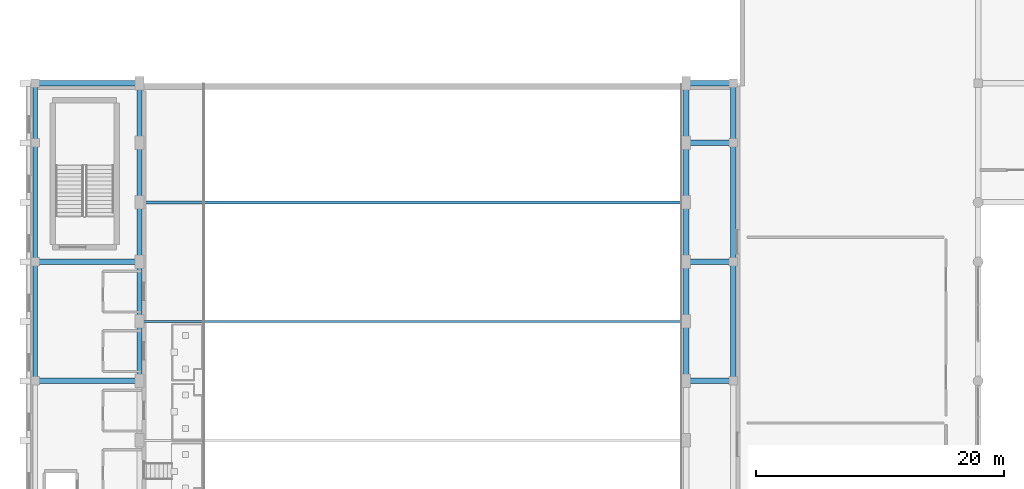
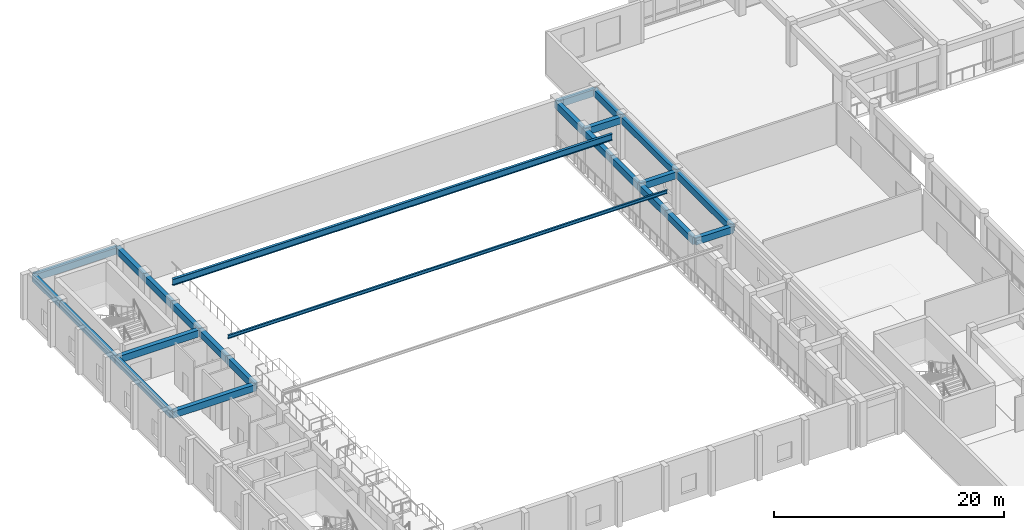
# One storey, part 33 of 133: 25 beams.
"""IFC4 building model written with IfcOpenShell, lengths in metres."""

from ifc_helpers import new_model, si_unit, direction, frame, origin, origin_2d, place, context, subcontext, project, spatial, rectangle, i_section, extrude, material, material_profile, profile_set, type_object, element, save


model = new_model("IFC4")

# Units and contexts
model_context = context("Model", 3, precision=1e-05, world=origin(), true_north=direction((0.0, 1.0)))
body_context = subcontext(model_context, "Body", "Model", "MODEL_VIEW")
ifc_project = project(units=[si_unit("LENGTHUNIT", "METRE"), si_unit("AREAUNIT", "SQUARE_METRE"), si_unit("VOLUMEUNIT", "CUBIC_METRE"), si_unit("PLANEANGLEUNIT", "RADIAN"), si_unit("MASSUNIT", "GRAM", prefix="KILO")], contexts=[model_context])

# Site, building, storey
site_placement = place(None, origin())
site = spatial("IfcSite", under=ifc_project, at=site_placement, CompositionType="ELEMENT")
building_placement = place(site_placement, origin())
building = spatial("IfcBuilding", under=site, at=building_placement, Name="Nakhvara Creek Congress Hotel", CompositionType="ELEMENT")
storey_placement = place(building_placement, frame((0.0, 0.0, 11.39990234375)))
storey = spatial("IfcBuildingStorey", under=building, at=storey_placement, Name="L02", CompositionType="ELEMENT", Elevation=11.39990234375)

# Beams
ifc_material_1 = material(Name="Concrete C40/50", Category="concrete")
ifc_material_profile_1 = material_profile(ifc_material_1, rectangle(XDim=0.43994140625, YDim=0.719970703125, at=origin_2d()), Name="RC-BM 440x720", Category="LoadBearing")
ifc_profile_set_1 = profile_set([ifc_material_profile_1], Name="Concrete C40/50")
beam_type_1 = type_object("IfcBeamType", Name="BM-RC-440X720", PredefinedType="BEAM", material=ifc_profile_set_1)
beam_1_placement = place(storey_placement, frame((0.75, 62.39990234375, 4.06005859375), z_axis=(1.0, 0.0, 0.0), x_axis=(0.0, 1.0, 0.0)))
element("IfcBeam", 1, at=beam_1_placement, inside=storey, type_object=beam_type_1, Name="Beam B12-L02-1404", PredefinedType="BEAM", context=body_context, shape_type="SweptSolid", body=[
    extrude(rectangle(XDim=0.43994140625, YDim=0.719970703125, at=origin_2d()), origin(), (0.0, 0.0, 1.0), 8.39990234375),
])
beam_2_placement = place(storey_placement, frame((57.050048828125, 62.39990234375, 4.06005859375), z_axis=(0.0, 1.0, 0.0), x_axis=(-1.0, 0.0, 0.0)))
element("IfcBeam", 2, at=beam_2_placement, inside=storey, type_object=beam_type_1, Name="Beam B12-L02-1405", PredefinedType="BEAM", context=body_context, shape_type="SweptSolid", body=[
    extrude(rectangle(XDim=0.43994140625, YDim=0.719970703125, at=origin_2d()), origin(), (0.0, 0.0, 1.0), 9.60009765625),
])
beam_3_placement = place(storey_placement, frame((53.25, 62.39990234375, 4.06005859375), z_axis=(1.0, 0.0, 0.0), x_axis=(0.0, 1.0, 0.0)))
element("IfcBeam", 3, at=beam_3_placement, inside=storey, type_object=beam_type_1, Name="Beam B12-L02-1406", PredefinedType="BEAM", context=body_context, shape_type="SweptSolid", body=[
    extrude(rectangle(XDim=0.43994140625, YDim=0.719970703125, at=origin_2d()), origin(), (0.0, 0.0, 1.0), 3.800048828125),
])
beam_4_placement = place(storey_placement, frame((0.75, 72.0, 4.06005859375), z_axis=(1.0, 0.0, 0.0), x_axis=(0.0, 1.0, 0.0)))
element("IfcBeam", 4, at=beam_4_placement, inside=storey, type_object=beam_type_1, Name="Beam B12-L02-1408", PredefinedType="BEAM", context=body_context, shape_type="SweptSolid", body=[
    extrude(rectangle(XDim=0.43994140625, YDim=0.719970703125, at=origin_2d()), origin(), (0.0, 0.0, 1.0), 8.39990234375),
])
beam_5_placement = place(storey_placement, frame((57.050048828125, 72.0, 4.06005859375), z_axis=(0.0, 1.0, 0.0), x_axis=(-1.0, 0.0, 0.0)))
element("IfcBeam", 5, at=beam_5_placement, inside=storey, type_object=beam_type_1, Name="Beam B12-L02-1409", PredefinedType="BEAM", context=body_context, shape_type="SweptSolid", body=[
    extrude(rectangle(XDim=0.43994140625, YDim=0.719970703125, at=origin_2d()), origin(), (0.0, 0.0, 1.0), 9.60009765625),
])
beam_6_placement = place(storey_placement, frame((53.25, 72.0, 4.06005859375), z_axis=(1.0, 0.0, 0.0), x_axis=(0.0, 1.0, 0.0)))
element("IfcBeam", 6, at=beam_6_placement, inside=storey, type_object=beam_type_1, Name="Beam B12-L02-1410", PredefinedType="BEAM", context=body_context, shape_type="SweptSolid", body=[
    extrude(rectangle(XDim=0.43994140625, YDim=0.719970703125, at=origin_2d()), origin(), (0.0, 0.0, 1.0), 3.800048828125),
])
beam_7_placement = place(storey_placement, frame((57.050048828125, 81.60009765625, 4.06005859375), z_axis=(0.0, 1.0, 0.0), x_axis=(-1.0, 0.0, 0.0)))
element("IfcBeam", 7, at=beam_7_placement, inside=storey, type_object=beam_type_1, Name="Beam B12-L02-1412", PredefinedType="BEAM", context=body_context, shape_type="SweptSolid", body=[
    extrude(rectangle(XDim=0.43994140625, YDim=0.719970703125, at=origin_2d()), origin(), (0.0, 0.0, 1.0), 4.7998046875),
])
beam_8_placement = place(storey_placement, frame((53.25, 81.60009765625, 4.06005859375), z_axis=(1.0, 0.0, 0.0), x_axis=(0.0, 1.0, 0.0)))
element("IfcBeam", 8, at=beam_8_placement, inside=storey, type_object=beam_type_1, Name="Beam B12-L02-1413", PredefinedType="BEAM", context=body_context, shape_type="SweptSolid", body=[
    extrude(rectangle(XDim=0.43994140625, YDim=0.719970703125, at=origin_2d()), origin(), (0.0, 0.0, 1.0), 3.800048828125),
])
beam_9_placement = place(storey_placement, frame((0.75, 86.39990234375, 4.06005859375), z_axis=(1.0, 0.0, 0.0), x_axis=(0.0, 1.0, 0.0)))
element("IfcBeam", 9, at=beam_9_placement, inside=storey, type_object=beam_type_1, Name="Beam B12-L02-1414", PredefinedType="BEAM", context=body_context, shape_type="SweptSolid", body=[
    extrude(rectangle(XDim=0.43994140625, YDim=0.719970703125, at=origin_2d()), origin(), (0.0, 0.0, 1.0), 8.39990234375),
])
beam_10_placement = place(storey_placement, frame((53.25, 86.39990234375, 4.06005859375), z_axis=(1.0, 0.0, 0.0), x_axis=(0.0, 1.0, 0.0)))
element("IfcBeam", 10, at=beam_10_placement, inside=storey, type_object=beam_type_1, Name="Beam B12-L02-1415", PredefinedType="BEAM", context=body_context, shape_type="SweptSolid", body=[
    extrude(rectangle(XDim=0.43994140625, YDim=0.719970703125, at=origin_2d()), origin(), (0.0, 0.0, 1.0), 3.800048828125),
])
for number, where, z_axis, x_axis, name in (
    (11, (9.14990234375, 62.39990234375, 4.06005859375), (0.0, 1.0, 0.0), (-1.0, 0.0, 0.0), "Beam B12-L02-1428"),
    (12, (53.25, 62.39990234375, 4.06005859375), (0.0, 1.0, 0.0), (-1.0, 0.0, 0.0), "Beam B12-L02-1429"),
    (13, (9.14990234375, 67.199951171875, 4.06005859375), (0.0, 1.0, 0.0), (-1.0, 0.0, 0.0), "Beam B12-L02-1430"),
    (14, (53.25, 67.199951171875, 4.06005859375), (0.0, 1.0, 0.0), (-1.0, 0.0, 0.0), "Beam B12-L02-1431"),
    (15, (9.14990234375, 72.0, 4.06005859375), (0.0, 1.0, 0.0), (-1.0, 0.0, 0.0), "Beam B12-L02-1432"),
    (16, (53.25, 72.0, 4.06005859375), (0.0, 1.0, 0.0), (-1.0, 0.0, 0.0), "Beam B12-L02-1433"),
    (17, (9.14990234375, 76.800048828125, 4.06005859375), (0.0, 1.0, 0.0), (-1.0, 0.0, 0.0), "Beam B12-L02-1434"),
    (18, (53.25, 76.800048828125, 4.06005859375), (0.0, 1.0, 0.0), (-1.0, 0.0, 0.0), "Beam B12-L02-1435"),
):
    element("IfcBeam", number, at=place(storey_placement, frame(where, z_axis=z_axis, x_axis=x_axis)), inside=storey, type_object=beam_type_1, Name=name, PredefinedType="BEAM", context=body_context, shape_type="SweptSolid", body=[
        extrude(rectangle(XDim=0.43994140625, YDim=0.719970703125, at=origin_2d()), origin(), (0.0, 0.0, 1.0), 4.800048828125),
    ])
for number, where, z_axis, x_axis, name in (
    (19, (9.14990234375, 81.60009765625, 4.06005859375), (0.0, 1.0, 0.0), (-1.0, 0.0, 0.0), "Beam B12-L02-1436"),
    (20, (53.25, 81.60009765625, 4.06005859375), (0.0, 1.0, 0.0), (-1.0, 0.0, 0.0), "Beam B12-L02-1437"),
):
    element("IfcBeam", number, at=place(storey_placement, frame(where, z_axis=z_axis, x_axis=x_axis)), inside=storey, type_object=beam_type_1, Name=name, PredefinedType="BEAM", context=body_context, shape_type="SweptSolid", body=[
        extrude(rectangle(XDim=0.43994140625, YDim=0.719970703125, at=origin_2d()), origin(), (0.0, 0.0, 1.0), 4.7998046875),
    ])
ifc_material_profile_2 = material_profile(ifc_material_1, rectangle(XDim=0.35009765625, YDim=0.75, at=origin_2d()), Name="RC-SPANDREL 350x750", Category="LoadBearing")
ifc_profile_set_2 = profile_set([ifc_material_profile_2], Name="Concrete C40/50")
beam_type_2 = type_object("IfcBeamType", Name="BM-SPN-350X750", PredefinedType="SPANDREL", material=ifc_profile_set_2)
for number, where, z_axis, x_axis, name in (
    (21, (0.75, 62.39990234375, 4.045166015625), (0.0, 1.0, 0.0), (-1.0, 0.0, 0.0), "Beam SP1-L02-1403"),
    (22, (0.75, 72.0, 4.045166015625), (0.0, 1.0, 0.0), (-1.0, 0.0, 0.0), "Beam SP1-L02-1407"),
):
    element("IfcBeam", number, at=place(storey_placement, frame(where, z_axis=z_axis, x_axis=x_axis)), inside=storey, type_object=beam_type_2, Name=name, PredefinedType="SPANDREL", context=body_context, shape_type="SweptSolid", body=[
        extrude(rectangle(XDim=0.35009765625, YDim=0.75, at=origin_2d()), origin(), (0.0, 0.0, 1.0), 9.60009765625),
    ])
beam_11_placement = place(storey_placement, frame((0.75, 81.60009765625, 4.045166015625), z_axis=(0.0, 1.0, 0.0), x_axis=(-1.0, 0.0, 0.0)))
element("IfcBeam", 23, at=beam_11_placement, inside=storey, type_object=beam_type_2, Name="Beam SP1-L02-1411", PredefinedType="SPANDREL", context=body_context, shape_type="SweptSolid", body=[
    extrude(rectangle(XDim=0.35009765625, YDim=0.75, at=origin_2d()), origin(), (0.0, 0.0, 1.0), 4.7998046875),
])
ifc_material_2 = material(Name="Steel S355J2", Category="steel")
ifc_material_profile_3 = material_profile(ifc_material_2, i_section(OverallWidth=0.17138671875, OverallDepth=0.35498046875, WebThickness=0.00732421875, FlangeThickness=0.011474609375, FilletRadius=0.01025390625, at=origin_2d()), Name="UB 356x171x51", Category="LoadBearing")
ifc_profile_set_3 = profile_set([ifc_material_profile_3], Name="Steel S355J2")
beam_type_3 = type_object("IfcBeamType", Name="BM-ST-UB356", PredefinedType="JOIST", material=ifc_profile_set_3)
beam_12_placement = place(storey_placement, frame((9.14990234375, 67.199951171875, 6.400146484375), z_axis=(1.0, 0.0, 0.0), x_axis=(0.0, 1.0, 0.0)))
element("IfcBeam", 24, at=beam_12_placement, inside=storey, type_object=beam_type_3, Name="Congress Steel Girder 04", PredefinedType="JOIST", context=body_context, shape_type="SweptSolid", body=[
    extrude(i_section(OverallWidth=0.17138671875, OverallDepth=0.35498046875, WebThickness=0.00732421875, FlangeThickness=0.011474609375, FilletRadius=0.01025390625, at=origin_2d()), origin(), (0.0, 0.0, 1.0), 44.10009765625),
])
ifc_material_profile_4 = material_profile(ifc_material_2, i_section(OverallWidth=0.253662109375, OverallDepth=0.68359375, WebThickness=0.012451171875, FlangeThickness=0.01904296875, FilletRadius=0.01513671875, at=origin_2d()), Name="UB 686x254x140", Category="LoadBearing")
ifc_profile_set_4 = profile_set([ifc_material_profile_4], Name="Steel S355J2")
beam_type_4 = type_object("IfcBeamType", Name="BM-ST-UB686", PredefinedType="BEAM", material=ifc_profile_set_4)
beam_13_placement = place(storey_placement, frame((9.14990234375, 76.800048828125, 6.400146484375), z_axis=(1.0, 0.0, 0.0), x_axis=(0.0, 1.0, 0.0)))
element("IfcBeam", 25, at=beam_13_placement, inside=storey, type_object=beam_type_4, Name="Congress Steel Girder 01", PredefinedType="BEAM", context=body_context, shape_type="SweptSolid", body=[
    extrude(i_section(OverallWidth=0.253662109375, OverallDepth=0.68359375, WebThickness=0.012451171875, FlangeThickness=0.01904296875, FilletRadius=0.01513671875, at=origin_2d()), origin(), (0.0, 0.0, 1.0), 44.10009765625),
])

save(model, "model.ifc")
